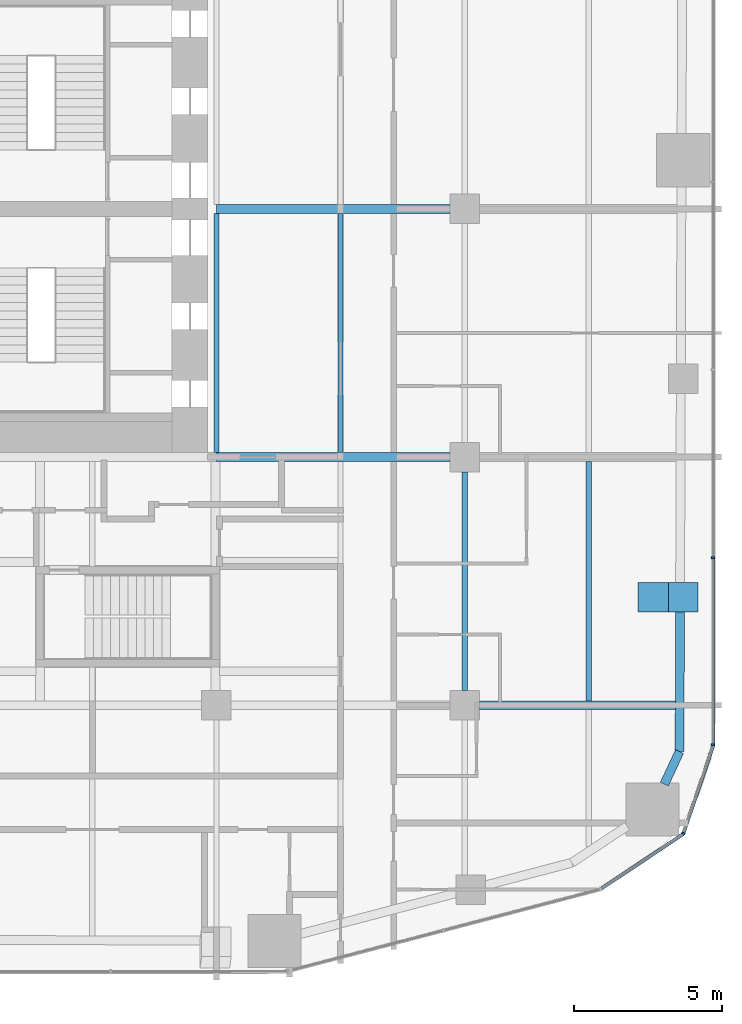
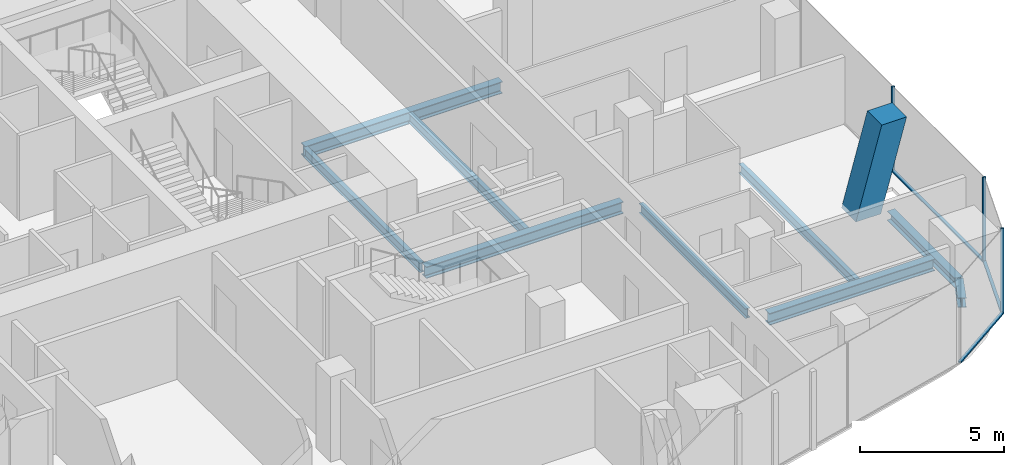
# One storey, part 7 of 27: 9 beams, 7 members, 3 elements without a shape of their own.
"""IFC4 building model written with IfcOpenShell, lengths in metres."""

from ifc_helpers import new_model, si_unit, direction, frame, origin, origin_2d, place, context, subcontext, project, spatial, rectangle, i_section, extrude, material, layer, layer_set, material_profile, profile_set, type_object, element, aggregate, save


model = new_model("IFC4")

# Units and contexts
model_context = context("Model", 3, precision=1e-05, world=origin(), true_north=direction((0.0, 1.0)))
body_context = subcontext(model_context, "Body", "Model", "MODEL_VIEW")
ifc_project = project(units=[si_unit("LENGTHUNIT", "METRE"), si_unit("AREAUNIT", "SQUARE_METRE"), si_unit("VOLUMEUNIT", "CUBIC_METRE"), si_unit("PLANEANGLEUNIT", "RADIAN"), si_unit("MASSUNIT", "GRAM", prefix="KILO")], contexts=[model_context])

# Site, building, storey
site_placement = place(None, origin())
site = spatial("IfcSite", under=ifc_project, at=site_placement, CompositionType="ELEMENT")
building_placement = place(site_placement, origin())
building = spatial("IfcBuilding", under=site, at=building_placement, Name="Marenta Gate Hotel Tower", CompositionType="ELEMENT")
storey_placement = place(building_placement, frame((0.0, 0.0, 36.5)))
storey = spatial("IfcBuildingStorey", under=building, at=storey_placement, Name="L06", CompositionType="ELEMENT", Elevation=36.5)

# Beams
ifc_material_1 = material(Name="Steel S355", Category="steel")
ifc_material_profile_1 = material_profile(ifc_material_1, i_section(OverallWidth=0.300048828125, OverallDepth=0.39990234375, WebThickness=0.013427734375, FlangeThickness=0.02392578125, FilletRadius=0.027099609375, at=origin_2d()), Name="HEB 400")
ifc_profile_set_1 = profile_set([ifc_material_profile_1], Name="Steel S355")
beam_type_1 = type_object("IfcBeamType", Name="Edge beam HEB 400", PredefinedType="SPANDREL", material=ifc_profile_set_1)
beam_1_placement = place(storey_placement, frame((28.291015625, -5.2119140625, -0.35009765625), z_axis=(-0.003337079684, -0.999994431934, 0.0), x_axis=(0.999994431934, -0.003337079684, 0.0)))
element("IfcBeam", 1, at=beam_1_placement, inside=storey, type_object=beam_type_1, Name="L06-EB-27", PredefinedType="SPANDREL", context=body_context, shape_type="SweptSolid", body=[
    extrude(i_section(OverallWidth=0.300048828125, OverallDepth=0.39990234375, WebThickness=0.013427734375, FlangeThickness=0.02392578125, FilletRadius=0.027099609375, at=origin_2d()), origin(), (0.0, 0.0, 1.0), 4.75537109375),
])
beam_2_placement = place(storey_placement, frame((28.275146484375, -9.96728515625, -0.35009765625), z_axis=(-0.423291965192, -0.905993329006, 0.0), x_axis=(0.905993329006, -0.423291965192, 0.0)))
element("IfcBeam", 2, at=beam_2_placement, inside=storey, type_object=beam_type_1, Name="L06-EB-28", PredefinedType="SPANDREL", context=body_context, shape_type="SweptSolid", body=[
    extrude(i_section(OverallWidth=0.300048828125, OverallDepth=0.39990234375, WebThickness=0.013427734375, FlangeThickness=0.02392578125, FilletRadius=0.027099609375, at=origin_2d()), origin(), (0.0, 0.0, 1.0), 1.21630859375),
])

# Member
ifc_material_2 = material(Name="Concrete C80", Category="concrete")
ifc_material_profile_2 = material_profile(ifc_material_2, rectangle(XDim=1.0, YDim=1.0, at=origin_2d()), Name="1000 x 1000")
ifc_profile_set_2 = profile_set([ifc_material_profile_2], Name="Concrete C80")
member_type_1 = type_object("IfcMemberType", Name="Edge column raked 1000 x 1000 C80", PredefinedType="STRUT", material=ifc_profile_set_2)
member_1_placement = place(storey_placement, frame((27.363037109375, -4.751953125, -0.14990234375), z_axis=(0.0, 0.0, 1.0), x_axis=(1.0, 0.0, 0.0)))
element("IfcMember", 3, at=member_1_placement, inside=storey, type_object=member_type_1, Name="L06-EC-E-SE-2", PredefinedType="STRUT", context=body_context, shape_type="SweptSolid", body=[
    extrude(rectangle(XDim=1.0, YDim=1.0, at=origin_2d()), origin(), (0.266497998015, 0.0, 0.963835471984), 3.890625),
])

# Beams
ifc_material_3 = material(Name="Steel S355", Category="steel")
ifc_material_profile_3 = material_profile(ifc_material_3, i_section(OverallWidth=0.179931640625, OverallDepth=0.39990234375, WebThickness=0.008544921875, FlangeThickness=0.013427734375, FilletRadius=0.02099609375, at=origin_2d()), Name="IPE 400")
ifc_profile_set_3 = profile_set([ifc_material_profile_3], Name="Steel S355")
beam_type_2 = type_object("IfcBeamType", Name="Floor beam IPE 400", PredefinedType="JOIST", material=ifc_profile_set_3)
for number, where, z_axis, x_axis, name in (
    (4, (12.60009765625, 0.14990234375, -0.35009765625), (0.0, 1.0, 0.0), (-1.0, 0.0, 0.0), "L06-FB-50"),
    (5, (16.800048828125, 0.14990234375, -0.35009765625), (0.0, 1.0, 0.0), (-1.0, 0.0, 0.0), "L06-FB-56"),
):
    element("IfcBeam", number, at=place(storey_placement, frame(where, z_axis=z_axis, x_axis=x_axis)), inside=storey, type_object=beam_type_2, Name=name, PredefinedType="JOIST", context=body_context, shape_type="SweptSolid", body=[
        extrude(i_section(OverallWidth=0.179931640625, OverallDepth=0.39990234375, WebThickness=0.008544921875, FlangeThickness=0.013427734375, FilletRadius=0.02099609375, at=origin_2d()), origin(), (0.0, 0.0, 1.0), 8.10009765625),
    ])
beam_3_placement = place(storey_placement, frame((21.0, -7.89990234375, -0.35009765625), z_axis=(0.0, 1.0, 0.0), x_axis=(-1.0, 0.0, 0.0)))
element("IfcBeam", 6, at=beam_3_placement, inside=storey, type_object=beam_type_2, Name="L06-FB-61", PredefinedType="JOIST", context=body_context, shape_type="SweptSolid", body=[
    extrude(i_section(OverallWidth=0.179931640625, OverallDepth=0.39990234375, WebThickness=0.008544921875, FlangeThickness=0.013427734375, FilletRadius=0.02099609375, at=origin_2d()), origin(), (0.0, 0.0, 1.0), 7.39990234375),
])
beam_4_placement = place(storey_placement, frame((25.199951171875, -8.25, -0.35009765625), z_axis=(0.0, 1.0, 0.0), x_axis=(-1.0, 0.0, 0.0)))
element("IfcBeam", 7, at=beam_4_placement, inside=storey, type_object=beam_type_2, Name="L06-FB-67", PredefinedType="JOIST", context=body_context, shape_type="SweptSolid", body=[
    extrude(i_section(OverallWidth=0.179931640625, OverallDepth=0.39990234375, WebThickness=0.008544921875, FlangeThickness=0.013427734375, FilletRadius=0.02099609375, at=origin_2d()), origin(), (0.0, 0.0, 1.0), 8.10009765625),
])
ifc_material_4 = material(Name="Steel S355", Category="steel")
ifc_material_profile_4 = material_profile(ifc_material_4, i_section(OverallWidth=0.300048828125, OverallDepth=0.5, WebThickness=0.014404296875, FlangeThickness=0.028076171875, FilletRadius=0.027099609375, at=origin_2d()), Name="HEB 500")
ifc_profile_set_4 = profile_set([ifc_material_profile_4], Name="Steel S355")
beam_type_3 = type_object("IfcBeamType", Name="Girder HEB 500", PredefinedType="BEAM", material=ifc_profile_set_4)
beam_5_placement = place(storey_placement, frame((21.5, -8.39990234375, -0.39990234375), z_axis=(1.0, 0.0, 0.0), x_axis=(0.0, 1.0, 0.0)))
element("IfcBeam", 8, at=beam_5_placement, inside=storey, type_object=beam_type_3, Name="L06-GD-7", PredefinedType="BEAM", context=body_context, shape_type="SweptSolid", body=[
    extrude(i_section(OverallWidth=0.300048828125, OverallDepth=0.5, WebThickness=0.014404296875, FlangeThickness=0.028076171875, FilletRadius=0.027099609375, at=origin_2d()), origin(), (0.0, 0.0, 1.0), 6.63037109375),
])
for number, where, z_axis, x_axis, name in (
    (9, (12.60009765625, 0.0, -0.39990234375), (1.0, 0.0, 0.0), (0.0, 1.0, 0.0), "L06-GD-11"),
    (10, (12.60009765625, 8.39990234375, -0.39990234375), (1.0, 0.0, 0.0), (0.0, 1.0, 0.0), "L06-GD-15"),
):
    element("IfcBeam", number, at=place(storey_placement, frame(where, z_axis=z_axis, x_axis=x_axis)), inside=storey, type_object=beam_type_3, Name=name, PredefinedType="BEAM", context=body_context, shape_type="SweptSolid", body=[
        extrude(i_section(OverallWidth=0.300048828125, OverallDepth=0.5, WebThickness=0.014404296875, FlangeThickness=0.028076171875, FilletRadius=0.027099609375, at=origin_2d()), origin(), (0.0, 0.0, 1.0), 7.89990234375),
    ])

# Curtain wall, member
ifc_material_5 = material(Name="Tinted insulated glass in bronze anodised frame", Category="glass")
ifc_layer = layer(ifc_material_5, 0.1201171875)
ifc_layer_set = layer_set([ifc_layer], Name="Tinted insulated glass in bronze anodised frame")
curtain_wall_type = type_object("IfcCurtainWallType", Name="Tower unitised curtain wall CW1", PredefinedType="NOTDEFINED", material=ifc_layer_set)
curtain_wall_1_placement = place(storey_placement, origin())
curtain_wall_1 = element("IfcCurtainWall", 11, at=curtain_wall_1_placement, inside=storey, type_object=curtain_wall_type, Name="CW1 run G10", PredefinedType="NOTDEFINED")
ifc_material_6 = material(Name="Bronze anodised aluminium", Category="aluminium")
ifc_material_profile_5 = material_profile(ifc_material_6, rectangle(XDim=0.1201171875, YDim=0.06005859375, at=origin_2d()), Name="Mullion CW1 60x120 bronze anodised aluminium")
ifc_profile_set_5 = profile_set([ifc_material_profile_5], Name="Bronze anodised aluminium")
member_type_2 = type_object("IfcMemberType", Name="Mullion CW1 60x120 bronze anodised aluminium", PredefinedType="MULLION", material=ifc_profile_set_5)
member_2_placement = place(storey_placement, frame((28.405517578125, -12.73291015625, 0.0), z_axis=(0.0, 0.0, 1.0), x_axis=(-0.946729939312, 0.322028604337, 0.0)))
member_2 = element("IfcMember", 12, at=member_2_placement, type_object=member_type_2, Name="CW1 mullion 1", PredefinedType="MULLION", context=body_context, shape_type="SweptSolid", body=[
    extrude(rectangle(XDim=0.1201171875, YDim=0.06005859375, at=origin_2d()), origin(), (0.0, 0.0, 1.0), 3.60009765625),
])

# Curtain wall, members
curtain_wall_2_placement = place(storey_placement, origin())
curtain_wall_2 = element("IfcCurtainWall", 13, at=curtain_wall_2_placement, inside=storey, type_object=curtain_wall_type, Name="CW1 run G11", PredefinedType="NOTDEFINED")
member_3_placement = place(storey_placement, frame((29.4140625, -9.738037109375, 0.0), z_axis=(0.0, 0.0, 1.0), x_axis=(-1.0, 0.0, 0.0)))
member_3 = element("IfcMember", 14, at=member_3_placement, type_object=member_type_2, Name="CW1 mullion 1", PredefinedType="MULLION", context=body_context, shape_type="SweptSolid", body=[
    extrude(rectangle(XDim=0.1201171875, YDim=0.06005859375, at=origin_2d()), origin(), (0.0, 0.0, 1.0), 3.60009765625),
])
member_4_placement = place(storey_placement, frame((29.4140625, -3.407958984375, 0.0), z_axis=(0.0, 0.0, 1.0), x_axis=(-1.0, 0.0, 0.0)))
member_4 = element("IfcMember", 15, at=member_4_placement, type_object=member_type_2, Name="CW1 mullion 2", PredefinedType="MULLION", context=body_context, shape_type="SweptSolid", body=[
    extrude(rectangle(XDim=0.1201171875, YDim=0.06005859375, at=origin_2d()), origin(), (0.0, 0.0, 1.0), 3.60009765625),
])

# Curtain wall, member
curtain_wall_3_placement = place(storey_placement, origin())
curtain_wall_3 = element("IfcCurtainWall", 16, at=curtain_wall_3_placement, inside=storey, type_object=curtain_wall_type, Name="CW1 run G09", PredefinedType="NOTDEFINED")
ifc_material_7 = material(Name="Bronze anodised aluminium", Category="aluminium")
ifc_material_profile_6 = material_profile(ifc_material_7, rectangle(XDim=0.1201171875, YDim=0.06005859375, at=origin_2d()), Name="Transom CW1 60x120 bronze anodised aluminium")
ifc_profile_set_6 = profile_set([ifc_material_profile_6], Name="Bronze anodised aluminium")
member_type_3 = type_object("IfcMemberType", Name="Transom CW1 60x120 bronze anodised aluminium", PredefinedType="USERDEFINED", material=ifc_profile_set_6)
member_5_placement = place(storey_placement, frame((25.617431640625, -14.6103515625, 0.030029296875), z_axis=(0.832511449854, 0.554007839169, 0.0), x_axis=(-0.554007839169, 0.832511449854, 0.0)))
member_5 = element("IfcMember", 17, at=member_5_placement, type_object=member_type_3, Name="CW1 transom 1.1", ObjectType="TRANSOM", PredefinedType="USERDEFINED", context=body_context, shape_type="SweptSolid", body=[
    extrude(rectangle(XDim=0.1201171875, YDim=0.06005859375, at=origin_2d()), origin(), (0.0, 0.0, 1.0), 3.337158203125),
])
aggregate(curtain_wall_3, [member_5])

# Member
member_6_placement = place(storey_placement, frame((28.4150390625, -12.70458984375, 0.030029296875), z_axis=(0.3220776996, 0.94671323822, 0.0), x_axis=(-0.94671323822, 0.3220776996, 0.0)))
member_6 = element("IfcMember", 18, at=member_6_placement, type_object=member_type_3, Name="CW1 transom 1.1", ObjectType="TRANSOM", PredefinedType="USERDEFINED", context=body_context, shape_type="SweptSolid", body=[
    extrude(rectangle(XDim=0.1201171875, YDim=0.06005859375, at=origin_2d()), origin(), (0.0, 0.0, 1.0), 3.101806640625),
])

aggregate(curtain_wall_1, [member_2, member_6])

member_7_placement = place(storey_placement, frame((29.4140625, -9.7080078125, 0.030029296875), z_axis=(0.0, 1.0, 0.0), x_axis=(-1.0, 0.0, 0.0)))
member_7 = element("IfcMember", 19, at=member_7_placement, type_object=member_type_3, Name="CW1 transom 1.1", ObjectType="TRANSOM", PredefinedType="USERDEFINED", context=body_context, shape_type="SweptSolid", body=[
    extrude(rectangle(XDim=0.1201171875, YDim=0.06005859375, at=origin_2d()), origin(), (0.0, 0.0, 1.0), 6.27001953125),
])

aggregate(curtain_wall_2, [member_3, member_4, member_7])

save(model, "model.ifc")
